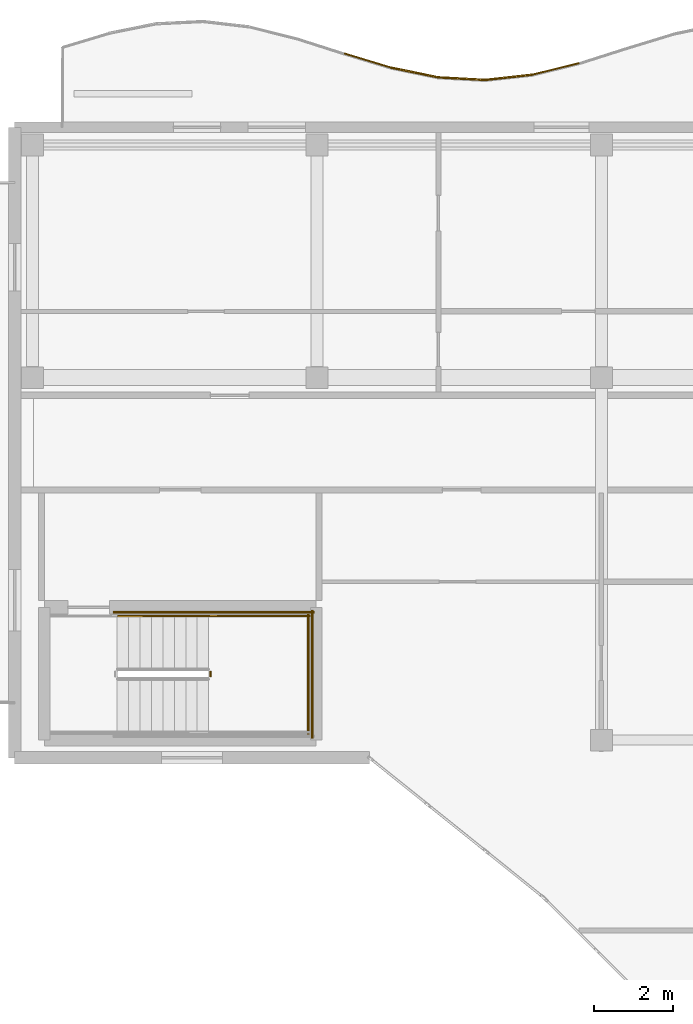
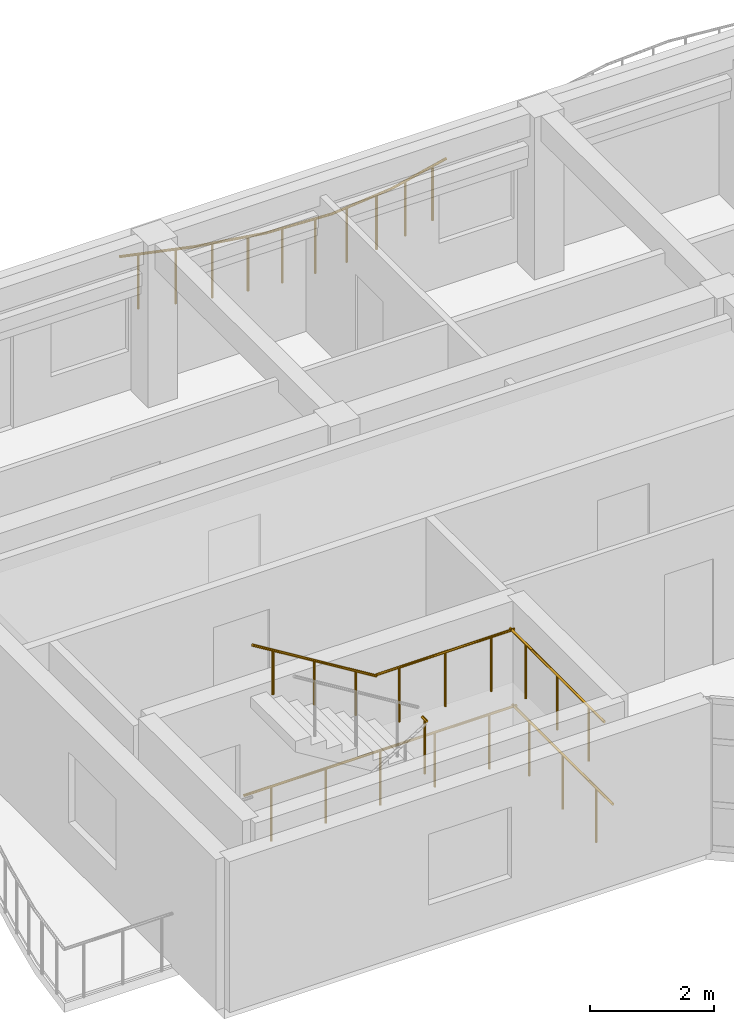
# One storey, part 66 of 68: 11 railings.
"""IFC4 building model written with IfcOpenShell, lengths in metres."""

from ifc_helpers import new_model, si_unit, direction, frame, origin, origin_2d, place, context, subcontext, project, spatial, circle, extrude, material, type_object, element, save


model = new_model("IFC4")

# Units and contexts
model_context = context("Model", 3, precision=1e-05, world=origin(), true_north=direction((0.0, 1.0)))
body_context = subcontext(model_context, "Body", "Model", "MODEL_VIEW")
ifc_project = project(units=[si_unit("LENGTHUNIT", "METRE"), si_unit("AREAUNIT", "SQUARE_METRE"), si_unit("VOLUMEUNIT", "CUBIC_METRE"), si_unit("PLANEANGLEUNIT", "RADIAN"), si_unit("MASSUNIT", "GRAM", prefix="KILO")], contexts=[model_context])

# Site, building, storey
site_placement = place(None, origin())
site = spatial("IfcSite", under=ifc_project, at=site_placement, CompositionType="ELEMENT")
building_placement = place(site_placement, origin())
building = spatial("IfcBuilding", under=site, at=building_placement, Name="Keldmere Railside Commons", CompositionType="ELEMENT")
storey_placement = place(building_placement, frame((0.0, 0.0, 23.360107421875)))
storey = spatial("IfcBuildingStorey", under=building, at=storey_placement, Name="L07", CompositionType="ELEMENT", Elevation=23.360107421875)

# Railings
ifc_material = material(Name="Steel F-24 (S235)", Category="steel")
railing_type_1 = type_object("IfcRailingType", Name="Balcony & Terrace Steel Balustrade 1100", PredefinedType="BALUSTRADE", material=ifc_material)
railing_1_placement = place(storey_placement, frame((155.358642578125, 117.876220703125, 0.0)))
element("IfcRailing", 1, at=railing_1_placement, inside=storey, type_object=railing_type_1, Name="GR-1 GRD-L07-3961", PredefinedType="BALUSTRADE", context=body_context, shape_type="SweptSolid", body=[
    extrude(circle(Radius=0.02392578125, at=origin_2d()), frame((0.0, 0.0, 1.076171875), z_axis=(0.957019463261, -0.290023700653, 0.0), x_axis=(0.290023700653, 0.957019463261, 0.0)), (0.0, 0.0, 1.0), 1.24658203125),
    extrude(circle(Radius=0.02099609375, at=origin_2d()), frame((0.29833984375, -0.09033203125, 0.0)), (0.0, 0.0, 1.0), 1.048095703125),
    extrude(circle(Radius=0.02099609375, at=origin_2d()), frame((0.894775390625, -0.271240234375, 0.0)), (0.0, 0.0, 1.0), 1.048095703125),
])
railing_2_placement = place(storey_placement, frame((156.5517578125, 117.5146484375, 0.0)))
element("IfcRailing", 2, at=railing_2_placement, inside=storey, type_object=railing_type_1, Name="GR-1 GRD-L07-3962", PredefinedType="BALUSTRADE", context=body_context, shape_type="SweptSolid", body=[
    extrude(circle(Radius=0.02392578125, at=origin_2d()), frame((0.0, 0.0, 1.076171875), z_axis=(0.979383634902, -0.20200914753, 0.0), x_axis=(0.20200914753, 0.979383634902, 0.0)), (0.0, 0.0, 1.0), 1.21826171875),
    extrude(circle(Radius=0.02099609375, at=origin_2d()), frame((0.29833984375, -0.0615234375, 0.0)), (0.0, 0.0, 1.0), 1.048095703125),
    extrude(circle(Radius=0.02099609375, at=origin_2d()), frame((0.894775390625, -0.1845703125, 0.0)), (0.0, 0.0, 1.0), 1.048095703125),
])
railing_3_placement = place(storey_placement, frame((157.744873046875, 117.2685546875, 0.0)))
element("IfcRailing", 3, at=railing_3_placement, inside=storey, type_object=railing_type_1, Name="GR-1 GRD-L07-3963", PredefinedType="BALUSTRADE", context=body_context, shape_type="SweptSolid", body=[
    extrude(circle(Radius=0.02392578125, at=origin_2d()), frame((0.0, 0.0, 1.076171875), z_axis=(0.998488513155, -0.054960795997, 0.0), x_axis=(0.054960795997, 0.998488513155, 0.0)), (0.0, 0.0, 1.0), 1.19482421875),
    extrude(circle(Radius=0.02099609375, at=origin_2d()), frame((0.29833984375, -0.016357421875, 0.0)), (0.0, 0.0, 1.0), 1.048095703125),
    extrude(circle(Radius=0.02099609375, at=origin_2d()), frame((0.894775390625, -0.04931640625, 0.0)), (0.0, 0.0, 1.0), 1.048095703125),
])
railing_4_placement = place(storey_placement, frame((158.93798828125, 117.202880859375, 0.0)))
element("IfcRailing", 4, at=railing_4_placement, inside=storey, type_object=railing_type_1, Name="GR-1 GRD-L07-3964", PredefinedType="BALUSTRADE", context=body_context, shape_type="SweptSolid", body=[
    extrude(circle(Radius=0.02392578125, at=origin_2d()), frame((0.0, 0.0, 1.076171875), z_axis=(0.993883734674, 0.110431526075, 0.0), x_axis=(-0.110431526075, 0.993883734674, 0.0)), (0.0, 0.0, 1.0), 1.200439453125),
    extrude(circle(Radius=0.02099609375, at=origin_2d()), frame((0.29833984375, 0.033203125, 0.0)), (0.0, 0.0, 1.0), 1.048095703125),
    extrude(circle(Radius=0.02099609375, at=origin_2d()), frame((0.894775390625, 0.099365234375, 0.0)), (0.0, 0.0, 1.0), 1.048095703125),
])
railing_5_placement = place(storey_placement, frame((160.131103515625, 117.33544921875, 0.0)))
element("IfcRailing", 5, at=railing_5_placement, inside=storey, type_object=railing_type_1, Name="GR-1 GRD-L07-3965", PredefinedType="BALUSTRADE", context=body_context, shape_type="SweptSolid", body=[
    extrude(circle(Radius=0.02392578125, at=origin_2d()), frame((0.0, 0.0, 1.076171875), z_axis=(0.970735480679, 0.240151257651, 0.0), x_axis=(-0.240151257651, 0.970735480679, 0.0)), (0.0, 0.0, 1.0), 1.22900390625),
    extrude(circle(Radius=0.02099609375, at=origin_2d()), frame((0.29833984375, 0.07373046875, 0.0)), (0.0, 0.0, 1.0), 1.048095703125),
    extrude(circle(Radius=0.02099609375, at=origin_2d()), frame((0.894775390625, 0.221435546875, 0.0)), (0.0, 0.0, 1.0), 1.048095703125),
])
railing_type_2 = type_object("IfcRailingType", Name="Stair Well Steel Guardrail 1100", PredefinedType="BALUSTRADE", material=ifc_material)
railing_6_placement = place(storey_placement, frame((151.969970703125, 102.050048828125, 1.599853515625)))
element("IfcRailing", 6, at=railing_6_placement, inside=storey, type_object=railing_type_2, Name="L07 ST-A2 stair guard 2", PredefinedType="BALUSTRADE", context=body_context, shape_type="SweptSolid", body=[
    extrude(circle(Radius=0.02392578125, at=origin_2d()), frame((0.0, 0.0, 1.076171875), z_axis=(0.0, 1.0, 0.0), x_axis=(-1.0, 0.0, 0.0)), (0.0, 0.0, 1.0), 0.14990234375),
    extrude(circle(Radius=0.02099609375, at=origin_2d()), frame((0.0, 0.074951171875, 0.0)), (0.0, 0.0, 1.0), 1.048095703125),
])
railing_7_placement = place(storey_placement, frame((151.919921875, 103.60009765625, 1.599853515625)))
element("IfcRailing", 7, at=railing_7_placement, inside=storey, type_object=railing_type_2, Name="L07 ST-A2 stair guard 4", PredefinedType="BALUSTRADE", context=body_context, shape_type="SweptSolid", body=[
    extrude(circle(Radius=0.02392578125, at=origin_2d()), frame((0.0, 0.0, 1.076171875), z_axis=(1.0, 0.0, 0.0), x_axis=(0.0, 1.0, 0.0)), (0.0, 0.0, 1.0), 2.580078125),
    extrude(circle(Radius=0.02099609375, at=origin_2d()), frame((0.429931640625, 0.0, 0.0)), (0.0, 0.0, 1.0), 1.048095703125),
    extrude(circle(Radius=0.02099609375, at=origin_2d()), frame((1.2900390625, 0.0, 0.0)), (0.0, 0.0, 1.0), 1.048095703125),
    extrude(circle(Radius=0.02099609375, at=origin_2d()), frame((2.150146484375, 0.0, 0.0)), (0.0, 0.0, 1.0), 1.048095703125),
])
railing_8_placement = place(storey_placement, frame((154.449951171875, 100.60009765625, 1.599853515625)))
element("IfcRailing", 8, at=railing_8_placement, inside=storey, type_object=railing_type_2, Name="L07 ST-A2 stair guard 5", PredefinedType="BALUSTRADE", context=body_context, shape_type="SweptSolid", body=[
    extrude(circle(Radius=0.02392578125, at=origin_2d()), frame((0.0, 0.0, 1.076171875), z_axis=(0.0, 1.0, 0.0), x_axis=(-1.0, 0.0, 0.0)), (0.0, 0.0, 1.0), 3.0498046875),
    extrude(circle(Radius=0.02099609375, at=origin_2d()), frame((0.0, 0.50830078125, 0.0)), (0.0, 0.0, 1.0), 1.048095703125),
    extrude(circle(Radius=0.02099609375, at=origin_2d()), frame((0.0, 1.52490234375, 0.0)), (0.0, 0.0, 1.0), 1.048095703125),
    extrude(circle(Radius=0.02099609375, at=origin_2d()), frame((0.0, 2.54150390625, 0.0)), (0.0, 0.0, 1.0), 1.048095703125),
])
railing_9_placement = place(storey_placement, frame((149.5, 103.699951171875, 0.0)))
element("IfcRailing", 9, at=railing_9_placement, inside=storey, type_object=railing_type_2, Name="L07 ST-A2 stair guard 11", PredefinedType="BALUSTRADE", context=body_context, shape_type="SweptSolid", body=[
    extrude(circle(Radius=0.02392578125, at=origin_2d()), frame((0.0, 0.0, 1.076171875), z_axis=(1.0, 0.0, 0.0), x_axis=(0.0, 1.0, 0.0)), (0.0, 0.0, 1.0), 5.10009765625),
    extrude(circle(Radius=0.02099609375, at=origin_2d()), frame((0.510009765625, 0.0, 0.0)), (0.0, 0.0, 1.0), 1.048095703125),
    extrude(circle(Radius=0.02099609375, at=origin_2d()), frame((1.530029296875, 0.0, 0.0)), (0.0, 0.0, 1.0), 1.048095703125),
    extrude(circle(Radius=0.02099609375, at=origin_2d()), frame((2.550048828125, 0.0, 0.0)), (0.0, 0.0, 1.0), 1.048095703125),
    extrude(circle(Radius=0.02099609375, at=origin_2d()), frame((3.570068359375, 0.0, 0.0)), (0.0, 0.0, 1.0), 1.048095703125),
    extrude(circle(Radius=0.02099609375, at=origin_2d()), frame((4.590087890625, 0.0, 0.0)), (0.0, 0.0, 1.0), 1.048095703125),
])
railing_10_placement = place(storey_placement, frame((154.550048828125, 100.5, 0.0)))
element("IfcRailing", 10, at=railing_10_placement, inside=storey, type_object=railing_type_2, Name="L07 ST-A2 stair guard 12", PredefinedType="BALUSTRADE", context=body_context, shape_type="SweptSolid", body=[
    extrude(circle(Radius=0.02392578125, at=origin_2d()), frame((0.0, 0.0, 1.076171875), z_axis=(0.0, 1.0, 0.0), x_axis=(-1.0, 0.0, 0.0)), (0.0, 0.0, 1.0), 3.25),
    extrude(circle(Radius=0.02099609375, at=origin_2d()), frame((0.0, 0.541748046875, 0.0)), (0.0, 0.0, 1.0), 1.048095703125),
    extrude(circle(Radius=0.02099609375, at=origin_2d()), frame((0.0, 1.625, 0.0)), (0.0, 0.0, 1.0), 1.048095703125),
    extrude(circle(Radius=0.02099609375, at=origin_2d()), frame((0.0, 2.708251953125, 0.0)), (0.0, 0.0, 1.0), 1.048095703125),
])
railing_type_3 = type_object("IfcRailingType", Name="Wall-Mounted Tubular Steel Handrail 900", PredefinedType="HANDRAIL", material=ifc_material)
railing_11_placement = place(storey_placement, frame((151.919921875, 103.60009765625, 1.777587890625)))
element("IfcRailing", 11, at=railing_11_placement, inside=storey, type_object=railing_type_3, Name="L07 ST-A2 stair handrail 2", PredefinedType="HANDRAIL", context=body_context, shape_type="SweptSolid", body=[
    extrude(circle(Radius=0.02392578125, at=origin_2d()), frame((0.0, 0.0, 0.8759765625), z_axis=(-0.852513557019, 0.0, 0.522705112944), x_axis=(0.0, -1.0, 0.0)), (0.0, 0.0, 1.0), 2.72119140625),
    extrude(circle(Radius=0.02099609375, at=origin_2d()), frame((-0.38671875, 0.0, 0.237060546875)), (0.0, 0.0, 1.0), 0.847900390625),
    extrude(circle(Radius=0.02099609375, at=origin_2d()), frame((-1.159912109375, 0.0, 0.711181640625)), (0.0, 0.0, 1.0), 0.847900390625),
    extrude(circle(Radius=0.02099609375, at=origin_2d()), frame((-1.93310546875, 0.0, 1.185302734375)), (0.0, 0.0, 1.0), 0.847900390625),
])

save(model, "model.ifc")
